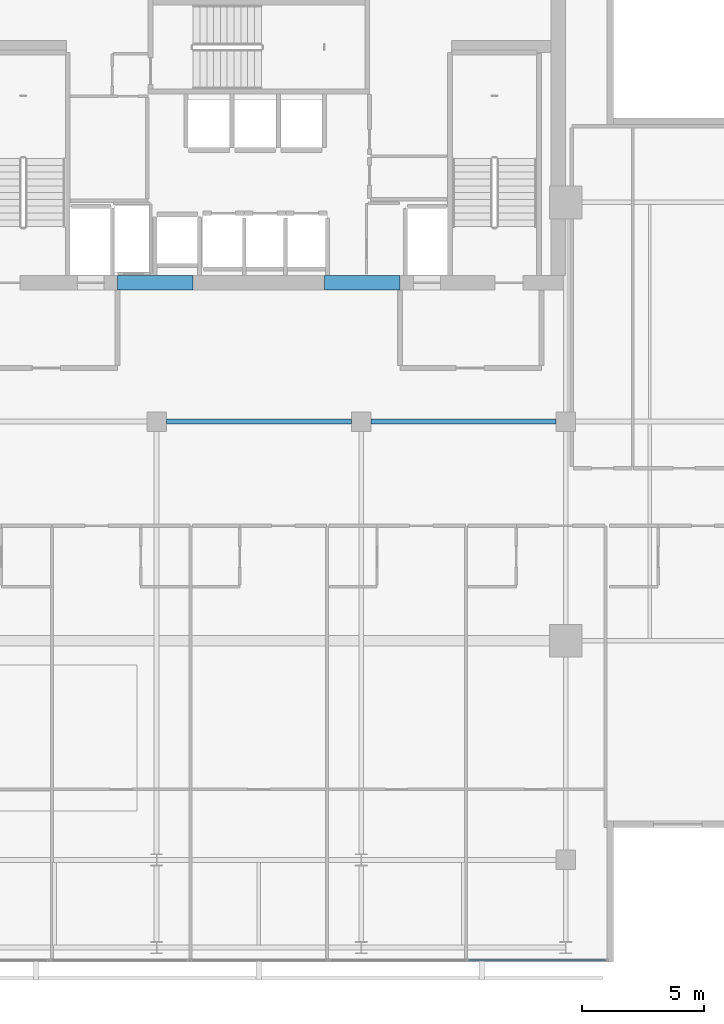
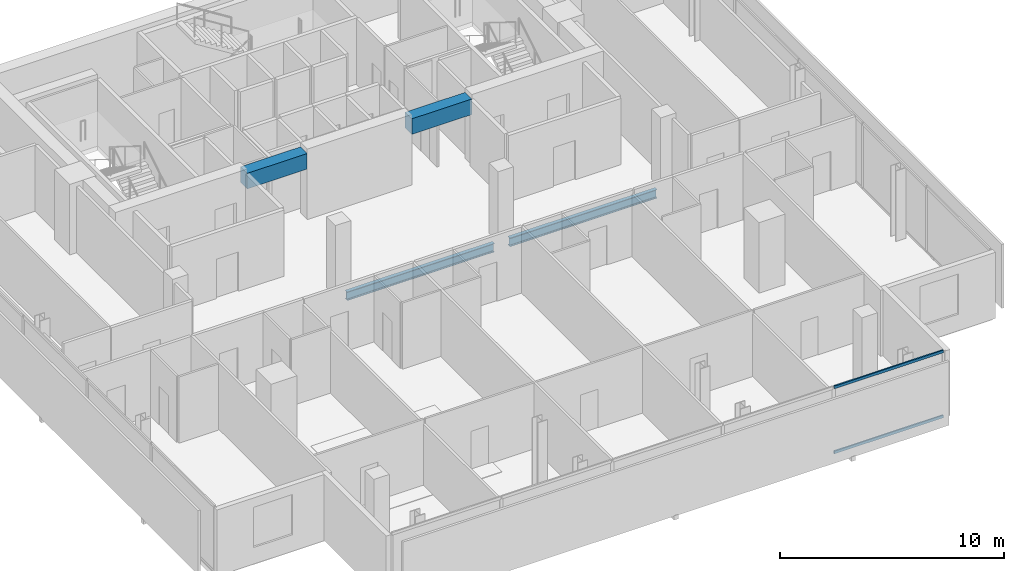
# One storey, part 10 of 24: 4 beams, 2 members, 1 element without a shape of its own.
"""IFC4 building model written with IfcOpenShell, lengths in metres."""

from ifc_helpers import new_model, si_unit, direction, frame, origin, origin_2d, place, context, subcontext, project, spatial, rectangle, hollow_rectangle, i_section, extrude, material, layer, layer_set, material_profile, profile_set, type_object, element, aggregate, save


model = new_model("IFC4")

# Units and contexts
model_context = context("Model", 3, precision=1e-05, world=origin(), true_north=direction((0.0, 1.0)))
body_context = subcontext(model_context, "Body", "Model", "MODEL_VIEW")
ifc_project = project(units=[si_unit("LENGTHUNIT", "METRE"), si_unit("AREAUNIT", "SQUARE_METRE"), si_unit("VOLUMEUNIT", "CUBIC_METRE"), si_unit("PLANEANGLEUNIT", "RADIAN"), si_unit("MASSUNIT", "GRAM", prefix="KILO")], contexts=[model_context])

# Site, building, storey
site_placement = place(None, origin())
site = spatial("IfcSite", under=ifc_project, at=site_placement, CompositionType="ELEMENT")
building_placement = place(site_placement, origin())
building = spatial("IfcBuilding", under=site, at=building_placement, Name="Maruvema Waterfront Hotel and Observation Tower", CompositionType="ELEMENT")
storey_placement = place(building_placement, frame((0.0, 0.0, 333.550048828125)))
storey = spatial("IfcBuildingStorey", under=building, at=storey_placement, Name="L82", CompositionType="ELEMENT", Elevation=333.550048828125)

# Beams
ifc_material_1 = material(Name="Concrete C60/75", Category="concrete")
ifc_material_profile_1 = material_profile(ifc_material_1, rectangle(XDim=0.60009765625, YDim=0.85009765625, at=origin_2d()), Name="CB600x850")
ifc_profile_set_1 = profile_set([ifc_material_profile_1], Name="Concrete C60/75")
beam_type_1 = type_object("IfcBeamType", Name="Core Coupling Lintel Beam CB600x850", PredefinedType="LINTEL", material=ifc_profile_set_1)
for number, where, z_axis, x_axis, name in (
    (1, (32.0, 41.699951171875, 3.18505859375), (1.0, 0.0, 0.0), (0.0, 1.0, 0.0), "L82 Core Coupling Lintel Beam West"),
    (2, (40.5, 41.699951171875, 3.18505859375), (1.0, 0.0, 0.0), (0.0, 1.0, 0.0), "L82 Core Coupling Lintel Beam East"),
):
    element("IfcBeam", number, at=place(storey_placement, frame(where, z_axis=z_axis, x_axis=x_axis)), inside=storey, type_object=beam_type_1, Name=name, PredefinedType="LINTEL", context=body_context, shape_type="SweptSolid", body=[
        extrude(rectangle(XDim=0.60009765625, YDim=0.85009765625, at=origin_2d()), origin(), (0.0, 0.0, 1.0), 3.10009765625),
    ])

# Curtain wall, members
ifc_material_2 = material(Name="Anodised bronze aluminium and solar-control low-E IGU", Category="aluminium")
ifc_layer = layer(ifc_material_2, 0.159912109375, Name="Zone 4 Sky Residence Inner Curtain Wall System CW-05")
ifc_layer_set = layer_set([ifc_layer], Name="Anodised bronze aluminium and solar-control low-E IGU")
curtain_wall_type = type_object("IfcCurtainWallType", Name="Zone 4 Sky Residence Inner Curtain Wall System CW-05", PredefinedType="USERDEFINED", material=ifc_layer_set)
curtain_wall_placement = place(storey_placement, origin())
curtain_wall = element("IfcCurtainWall", 3, at=curtain_wall_placement, inside=storey, type_object=curtain_wall_type, Name="L82 Curtain Wall CW-L82-S", ObjectType="UNITISED CURTAIN WALL", PredefinedType="USERDEFINED")
ifc_material_3 = material(Name="Anodised architectural bronze aluminium", Category="aluminium")
ifc_material_profile_2 = material_profile(ifc_material_3, hollow_rectangle(XDim=0.070068359375, YDim=0.14990234375, WallThickness=0.00390625, at=origin_2d()), Name="ALU-T70x150")
ifc_profile_set_2 = profile_set([ifc_material_profile_2], Name="Anodised architectural bronze aluminium")
member_type = type_object("IfcMemberType", Name="Curtain Wall Horizontal Transom ALU-T70x150", PredefinedType="USERDEFINED", material=ifc_profile_set_2)
member_1_placement = place(storey_placement, frame((46.409912109375, 13.8798828125, 0.030029296875), z_axis=(1.0, 0.0, 0.0), x_axis=(0.0, 1.0, 0.0)))
member_1 = element("IfcMember", 4, at=member_1_placement, type_object=member_type, Name="CW-05 transom 5.1", ObjectType="TRANSOM", PredefinedType="USERDEFINED", context=body_context, shape_type="SweptSolid", body=[
    extrude(hollow_rectangle(XDim=0.070068359375, YDim=0.14990234375, WallThickness=0.00390625, at=origin_2d()), origin(), (0.0, 0.0, 1.0), 5.630126953125),
])
member_2_placement = place(storey_placement, frame((46.409912109375, 13.8798828125, 3.579833984375), z_axis=(1.0, 0.0, 0.0), x_axis=(0.0, 1.0, 0.0)))
member_2 = element("IfcMember", 5, at=member_2_placement, type_object=member_type, Name="CW-05 transom 5.2", ObjectType="TRANSOM", PredefinedType="USERDEFINED", context=body_context, shape_type="SweptSolid", body=[
    extrude(hollow_rectangle(XDim=0.070068359375, YDim=0.14990234375, WallThickness=0.00390625, at=origin_2d()), origin(), (0.0, 0.0, 1.0), 5.630126953125),
])
aggregate(curtain_wall, [member_1, member_2])

# Beams
ifc_material_4 = material(Name="Steel ASTM A572 Grade 50", Category="steel")
ifc_material_profile_3 = material_profile(ifc_material_4, i_section(OverallWidth=0.194091796875, OverallDepth=0.468994140625, WebThickness=0.0126953125, FlangeThickness=0.0205078125, FilletRadius=0.014892578125, at=origin_2d()), Name="W460x106.0")
ifc_profile_set_3 = profile_set([ifc_material_profile_3], Name="Steel ASTM A572 Grade 50")
beam_type_2 = type_object("IfcBeamType", Name="Primary Floor Girder W460x106.0", PredefinedType="BEAM", material=ifc_profile_set_3)
for number, where, z_axis, x_axis, name in (
    (6, (34.0, 36.0, -0.474609375), (1.0, 0.0, 0.0), (0.0, 1.0, 0.0), "L82 Floor Girder EW-12"),
    (7, (42.39990234375, 36.0, -0.474609375), (1.0, 0.0, 0.0), (0.0, 1.0, 0.0), "L82 Floor Girder EW-13"),
):
    element("IfcBeam", number, at=place(storey_placement, frame(where, z_axis=z_axis, x_axis=x_axis)), inside=storey, type_object=beam_type_2, Name=name, PredefinedType="BEAM", context=body_context, shape_type="SweptSolid", body=[
        extrude(i_section(OverallWidth=0.194091796875, OverallDepth=0.468994140625, WebThickness=0.0126953125, FlangeThickness=0.0205078125, FilletRadius=0.014892578125, at=origin_2d()), origin(), (0.0, 0.0, 1.0), 7.60009765625),
    ])

save(model, "model.ifc")
